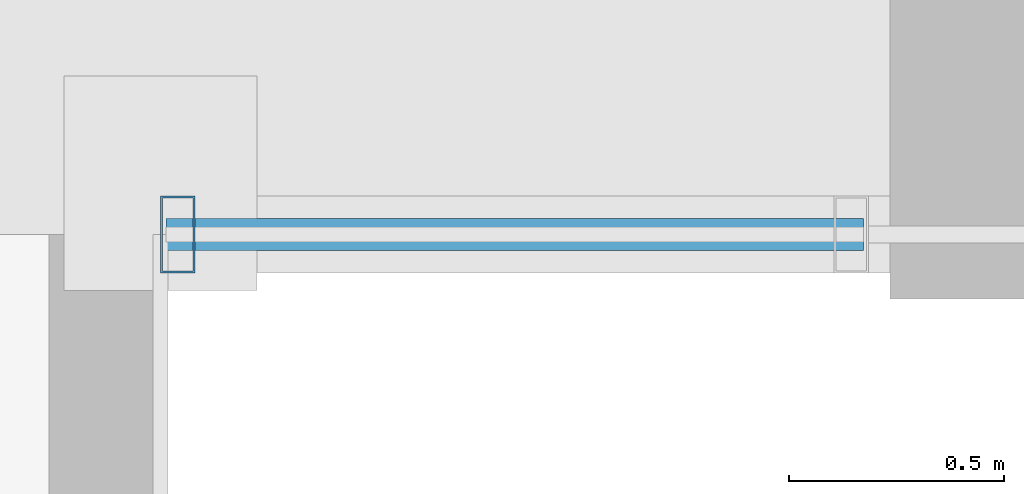
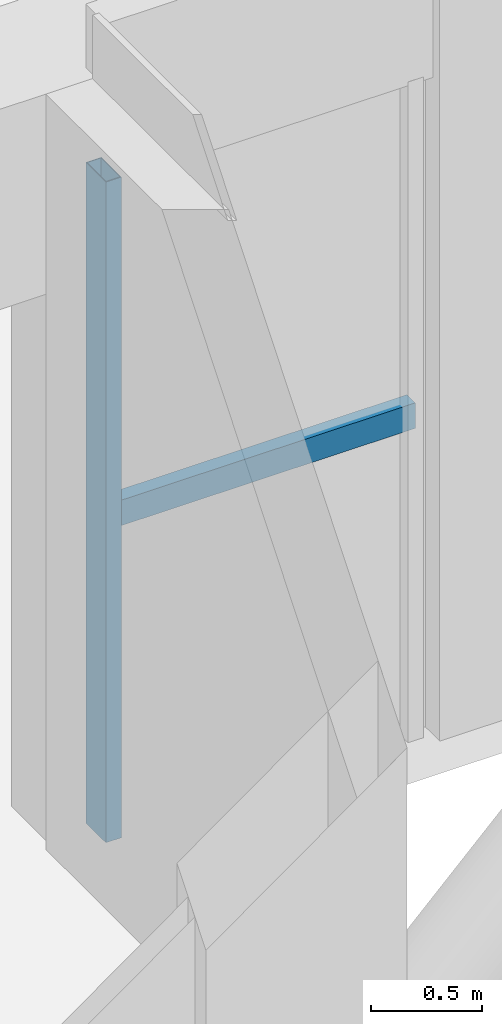
# One storey, part 2 of 21: 2 members, 1 element without a shape of its own.
"""IFC4 building model written with IfcOpenShell, lengths in metres."""

import ifcopenshell
import ifcopenshell.guid

model = None  # the IFC model being written
_history = None  # IfcOwnerHistory: only IFC2X3 demands one
_inside = {}  # id of a spatial element -> (the spatial element, [elements in it])
_under = {}  # id of a project, library or spatial element -> (it, [spatial elements below it])
_declared = {}  # id of a project -> (the project, [libraries it declares])
_typed = {}  # id of a type object -> (the type object, [elements of that type])
_made_of = {}  # id of a material, layer set ... -> (it, [elements and type objects made of it])


def new_model(schema):
    """Start an empty IFC model of exactly this schema.

    Asked for "IFC4X3", IfcOpenShell would pick the latest addendum, in which some entities
    have other attributes; the version numbers below select the first issue.
    IFC2X3 requires an IfcOwnerHistory on every rooted entity: one is made here for all.
    """
    global model, _history
    if schema == "IFC4X3":
        model = ifcopenshell.file(schema_version=(4, 3, 0, 0))
    else:
        model = ifcopenshell.file(schema=schema)
    _inside.clear()
    _under.clear()
    _declared.clear()
    _typed.clear()
    _made_of.clear()
    _history = None
    if model.schema == "IFC2X3":
        org = make("IfcOrganization", Name="unknown")
        user = make(
            "IfcPersonAndOrganization",
            ThePerson=make("IfcPerson", FamilyName="unknown"),
            TheOrganization=org,
        )
        app = make(
            "IfcApplication",
            ApplicationDeveloper=org,
            Version="unknown",
            ApplicationFullName="unknown",
            ApplicationIdentifier="unknown",
        )
        _history = make(
            "IfcOwnerHistory",
            OwningUser=user,
            OwningApplication=app,
            ChangeAction="ADDED",
            CreationDate=0,
        )
    return model


def make(cls, **values):
    """One entity of the class cls with the attributes given. An attribute that is None is left unset."""
    return model.create_entity(
        cls, **{name: value for name, value in values.items() if value is not None}
    )


def rooted(cls, **values):
    """An entity with a GlobalId (a new one), such as an element, a storey or a relation."""
    return make(cls, GlobalId=ifcopenshell.guid.new(), OwnerHistory=_history, **values)


def si_unit(unit_type, name, prefix=None):
    """IfcSIUnit, for example si_unit("LENGTHUNIT", "METRE", prefix="MILLI")."""
    return make("IfcSIUnit", UnitType=unit_type, Prefix=prefix, Name=name)


def assignment(units):
    """IfcUnitAssignment: the units of a project."""
    return None if units is None else make("IfcUnitAssignment", Units=units)


def point(xyz):
    """IfcCartesianPoint."""
    return None if xyz is None else make("IfcCartesianPoint", Coordinates=xyz)


def direction(xyz):
    """IfcDirection."""
    return None if xyz is None else make("IfcDirection", DirectionRatios=xyz)


def frame(location, z_axis=None, x_axis=None):
    """IfcAxis2Placement3D, a coordinate frame: its origin and axes. An axis left out is left unset."""
    return make(
        "IfcAxis2Placement3D",
        Location=point(location),
        Axis=direction(z_axis),
        RefDirection=direction(x_axis),
    )


def frame_2d(location, x_axis=None):
    """IfcAxis2Placement2D, a coordinate frame in the plane: its origin and x axis."""
    return make(
        "IfcAxis2Placement2D", Location=point(location), RefDirection=direction(x_axis)
    )


def origin():
    """The frame at (0, 0, 0) with its axes left unset."""
    return frame((0.0, 0.0, 0.0))


def origin_2d():
    """The frame at (0, 0) in the plane with its x axis left unset."""
    return frame_2d((0.0, 0.0))


def place(relative_to, where):
    """IfcLocalPlacement: puts the frame where relative to a parent placement (None: the world)."""
    return make(
        "IfcLocalPlacement", PlacementRelTo=relative_to, RelativePlacement=where
    )


def context(
    kind, dimensions, precision=None, world=None, true_north=None, identifier=None
):
    """IfcGeometricRepresentationContext, for example the 3D "Model" context."""
    return make(
        "IfcGeometricRepresentationContext",
        ContextIdentifier=identifier,
        ContextType=kind,
        CoordinateSpaceDimension=dimensions,
        Precision=precision,
        WorldCoordinateSystem=world,
        TrueNorth=true_north,
    )


def subcontext(parent, identifier, kind, view, scale=None):
    """IfcGeometricRepresentationSubContext, for example "Body" below "Model"."""
    return make(
        "IfcGeometricRepresentationSubContext",
        ContextIdentifier=identifier,
        ContextType=kind,
        ParentContext=parent,
        TargetScale=scale,
        TargetView=view,
    )


def project(units=None, contexts=None):
    """IfcProject with its units and contexts."""
    return rooted(
        "IfcProject",
        Name="project",
        RepresentationContexts=contexts,
        UnitsInContext=assignment(units),
    )


def spatial(cls, under=None, at=None, **own):
    """A site, building, storey or space (cls), placed at a placement, below another one or the project."""
    s = rooted(cls, ObjectPlacement=at, **own)
    if under is not None:
        _under.setdefault(under.id(), (under, []))[1].append(s)
    return s


def profile(cls, at=None, kind="AREA", **sizes):
    """A parametric profile (cls). Its sizes go by their IFC names, for example OverallWidth=200.0."""
    return make(cls, ProfileType=kind, Position=at, **sizes)


def hollow_rectangle(**sizes):
    """IfcRectangleHollowProfileDef."""
    return profile("IfcRectangleHollowProfileDef", **sizes)


def extrude(swept, where, along, depth):
    """IfcExtrudedAreaSolid: the profile swept, set in the frame where, extruded along a direction by depth."""
    return make(
        "IfcExtrudedAreaSolid",
        SweptArea=swept,
        Position=where,
        ExtrudedDirection=direction(along),
        Depth=depth,
    )


def shape(context_of_items, identifier, shape_type, items):
    """IfcShapeRepresentation: the items that make up one representation, for example the "Body"."""
    return make(
        "IfcShapeRepresentation",
        ContextOfItems=context_of_items,
        RepresentationIdentifier=identifier,
        RepresentationType=shape_type,
        Items=items,
    )


def source(mapping_origin, context_of_items, identifier, shape_type, items):
    """IfcRepresentationMap: a shape defined once, which mapped items show again and again."""
    return make(
        "IfcRepresentationMap",
        MappingOrigin=mapping_origin,
        MappedRepresentation=shape(context_of_items, identifier, shape_type, items),
    )


def transform(
    local_origin,
    x_axis=None,
    y_axis=None,
    z_axis=None,
    scale=None,
    scale2=None,
    scale3=None,
    uniform=True,
):
    """IfcCartesianTransformationOperator3D, or its non-uniform kind. x_axis, y_axis, z_axis: its Axis1, 2, 3."""
    if uniform:
        return make(
            "IfcCartesianTransformationOperator3D",
            Axis1=direction(x_axis),
            Axis2=direction(y_axis),
            LocalOrigin=point(local_origin),
            Scale=scale,
            Axis3=direction(z_axis),
        )
    return make(
        "IfcCartesianTransformationOperator3DnonUniform",
        Axis1=direction(x_axis),
        Axis2=direction(y_axis),
        LocalOrigin=point(local_origin),
        Scale=scale,
        Axis3=direction(z_axis),
        Scale2=scale2,
        Scale3=scale3,
    )


def mapped(mapping_source, mapping_target):
    """IfcMappedItem: shows the shape of a source again, moved by a transform."""
    return make(
        "IfcMappedItem", MappingSource=mapping_source, MappingTarget=mapping_target
    )


def material(Name=None, Category=None):
    """IfcMaterial."""
    return make("IfcMaterial", Name=Name, Category=Category)


def material_profile(
    of_material, cross_section, Name=None, Category=None, Priority=None
):
    """IfcMaterialProfile: a cross section and its material."""
    return make(
        "IfcMaterialProfile",
        Name=Name,
        Material=of_material,
        Profile=cross_section,
        Priority=Priority,
        Category=Category,
    )


def profile_set(profiles, Name=None, composite=None):
    """IfcMaterialProfileSet."""
    return make(
        "IfcMaterialProfileSet",
        Name=Name,
        MaterialProfiles=profiles,
        CompositeProfile=composite,
    )


def made_of(thing, what):
    """Note that an element or type object is made of a material, layer set ...; save() writes the relation."""
    if what is not None:
        _made_of.setdefault(what.id(), (what, []))[1].append(thing)
    return thing


def type_object(cls, material=None, **own):
    """A type object (cls), such as IfcWallType, which elements share."""
    return made_of(rooted(cls, **own), material)


def element(
    cls,
    number,
    at=None,
    inside=None,
    cuts=None,
    type_object=None,
    material=None,
    context=None,
    identifier="Body",
    shape_type=None,
    held_by="IfcProductDefinitionShape",
    body=None,
    shapes=None,
    **own,
):
    """One element of the class cls, such as IfcWall. Its Tag is "e" and its number.

    at: its placement. inside: the storey or other place that contains it. cuts: it is an
    opening in that element (IfcRelVoidsElement). A single representation is given by context,
    identifier, shape_type and body (its items); several are given by shapes. held_by: the class
    of the entity that holds the representations. save() writes the other relations.
    """
    e = rooted(cls, Tag="e%d" % number, ObjectPlacement=at, **own)
    if body is not None:
        shapes = [shape(context, identifier, shape_type, body)]
    if shapes is not None:
        e.Representation = make(held_by, Representations=shapes)
    if inside is not None:
        _inside.setdefault(inside.id(), (inside, []))[1].append(e)
    if cuts is not None:
        rooted(
            "IfcRelVoidsElement", RelatingBuildingElement=cuts, RelatedOpeningElement=e
        )
    if type_object is not None:
        _typed.setdefault(type_object.id(), (type_object, []))[1].append(e)
    return made_of(e, material)


def aggregate(whole, parts):
    """IfcRelAggregates: a whole, such as a stair, and the parts it consists of."""
    return rooted("IfcRelAggregates", RelatingObject=whole, RelatedObjects=parts)


def save(model, path):
    """Write the relations noted so far, then the file.

    IfcRelAggregates (storeys below a building ...), IfcRelContainedInSpatialStructure (elements
    in a storey), IfcRelDefinesByType, IfcRelAssociatesMaterial and IfcRelDeclares: one each for
    every whole, place, type object, material and project.
    """
    for whole, parts in _under.values():
        aggregate(whole, parts)
    for where, things in _inside.values():
        rooted(
            "IfcRelContainedInSpatialStructure",
            RelatedElements=things,
            RelatingStructure=where,
        )
    for kind, things in _typed.values():
        rooted("IfcRelDefinesByType", RelatedObjects=things, RelatingType=kind)
    for what, things in _made_of.values():
        rooted("IfcRelAssociatesMaterial", RelatedObjects=things, RelatingMaterial=what)
    for by, libraries in _declared.values():
        rooted("IfcRelDeclares", RelatingContext=by, RelatedDefinitions=libraries)
    model.write(path)


model = new_model("IFC4")

# Units and contexts
model_context = context("Model", 3, precision=1e-05, world=origin(), true_north=direction((0.0, 1.0)))
body_context = subcontext(model_context, "Body", "Model", "MODEL_VIEW")
ifc_project = project(units=[si_unit("LENGTHUNIT", "METRE"), si_unit("AREAUNIT", "SQUARE_METRE"), si_unit("VOLUMEUNIT", "CUBIC_METRE"), si_unit("PLANEANGLEUNIT", "RADIAN"), si_unit("MASSUNIT", "GRAM", prefix="KILO")], contexts=[model_context])

# Site, building, storey
site_placement = place(None, origin())
site = spatial("IfcSite", under=ifc_project, at=site_placement, CompositionType="ELEMENT")
building_placement = place(site_placement, origin())
building = spatial("IfcBuilding", under=site, at=building_placement, Name="Trelvane Seafront Commons", CompositionType="ELEMENT")
storey_placement = place(building_placement, frame((0.0, 0.0, 14.199951171875)))
storey = spatial("IfcBuildingStorey", under=building, at=storey_placement, Name="L03", CompositionType="ELEMENT", Elevation=14.199951171875)

# Curtain wall, members
ifc_material = material(Name="Anodised pale-silver aluminium", Category="aluminium")
curtain_wall_type = type_object("IfcCurtainWallType", Name="ARCH-CW1-PODIUM", PredefinedType="NOTDEFINED", material=ifc_material)
curtain_wall_placement = place(storey_placement, origin())
curtain_wall = element("IfcCurtainWall", 1, at=curtain_wall_placement, inside=storey, type_object=curtain_wall_type, Name="CW-L03-VP-0024", PredefinedType="NOTDEFINED")
ifc_material_profile_1 = material_profile(ifc_material, hollow_rectangle(XDim=0.080078125, YDim=0.179931640625, WallThickness=0.00439453125, at=origin_2d()), Name="MULL-80x180x4.5")
ifc_profile_set_1 = profile_set([ifc_material_profile_1], Name="Anodised pale-silver aluminium")
member_type_1 = type_object("IfcMemberType", Name="ARCH-CW-MULL-180", PredefinedType="MULLION", material=ifc_profile_set_1)
shared_shape_1 = source(origin(), body_context, "Body", "SweptSolid", [
    extrude(hollow_rectangle(XDim=0.080078125, YDim=0.179931640625, WallThickness=0.00439453125, at=origin_2d()), origin(), (0.0, 0.0, 1.0), 3.630126953125),
])
member_1_placement = place(storey_placement, frame((28.43994140625, 3.60009765625, 0.0), z_axis=(0.0, 0.0, 1.0), x_axis=(1.0, 0.0, 0.0)))
member_1 = element("IfcMember", 2, at=member_1_placement, type_object=member_type_1, Name="CW-L03-VP-0024-M01", PredefinedType="MULLION", context=body_context, shape_type="MappedRepresentation", body=[
    mapped(shared_shape_1, transform((0.0, 0.0, 0.0), x_axis=(1.0, 0.0, 0.0), y_axis=(0.0, 1.0, 0.0), z_axis=(0.0, 0.0, 1.0), scale=1.0)),
])
ifc_material_profile_2 = material_profile(ifc_material, hollow_rectangle(XDim=0.074951171875, YDim=0.139892578125, WallThickness=0.00390625, at=origin_2d()), Name="TRAN-75x140x4")
ifc_profile_set_2 = profile_set([ifc_material_profile_2], Name="Anodised pale-silver aluminium")
member_type_2 = type_object("IfcMemberType", Name="ARCH-CW-TRAN-140", PredefinedType="USERDEFINED", material=ifc_profile_set_2)
shared_shape_2 = source(origin(), body_context, "Body", "SweptSolid", [
    extrude(hollow_rectangle(XDim=0.074951171875, YDim=0.139892578125, WallThickness=0.00390625, at=origin_2d()), origin(), (0.0, 0.0, 1.0), 1.6259765625),
])
member_2_placement = place(storey_placement, frame((30.0380859375, 3.60009765625, 1.741943359375), z_axis=(-1.0, 0.0, 0.0), x_axis=(0.0, -1.0, 0.0)))
member_2 = element("IfcMember", 3, at=member_2_placement, type_object=member_type_2, Name="CW-L03-VP-0024-T00", ObjectType="TRANSOM", PredefinedType="USERDEFINED", context=body_context, shape_type="MappedRepresentation", body=[
    mapped(shared_shape_2, transform((0.0, 0.0, 0.0), x_axis=(1.0, 0.0, 0.0), y_axis=(0.0, 1.0, 0.0), z_axis=(0.0, 0.0, 1.0), scale=1.0)),
])
aggregate(curtain_wall, [member_1, member_2])

save(model, "model.ifc")
